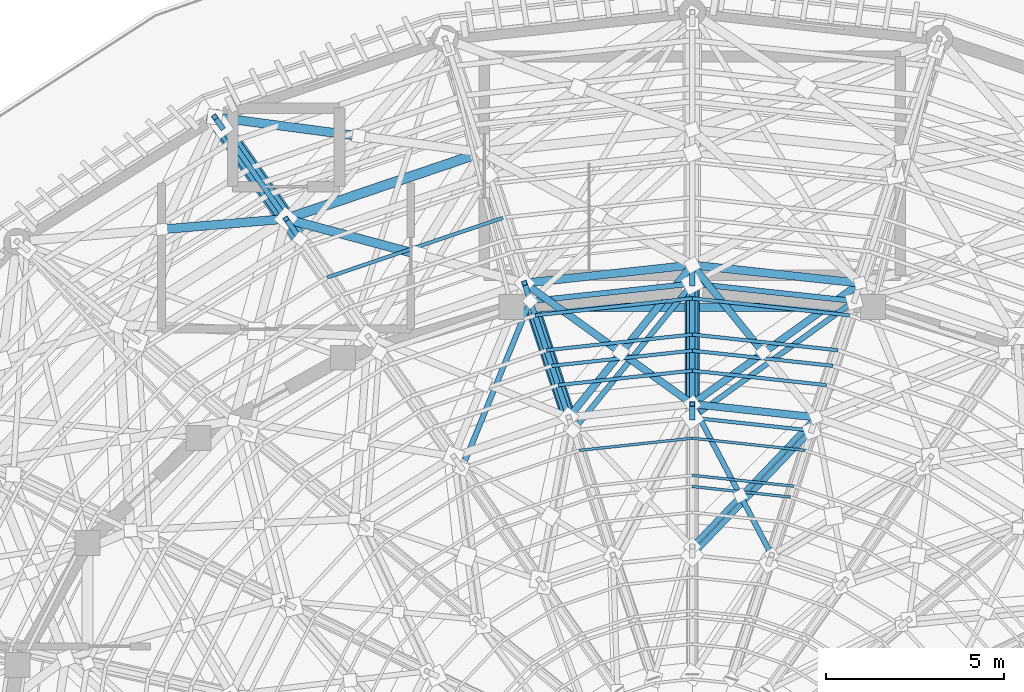
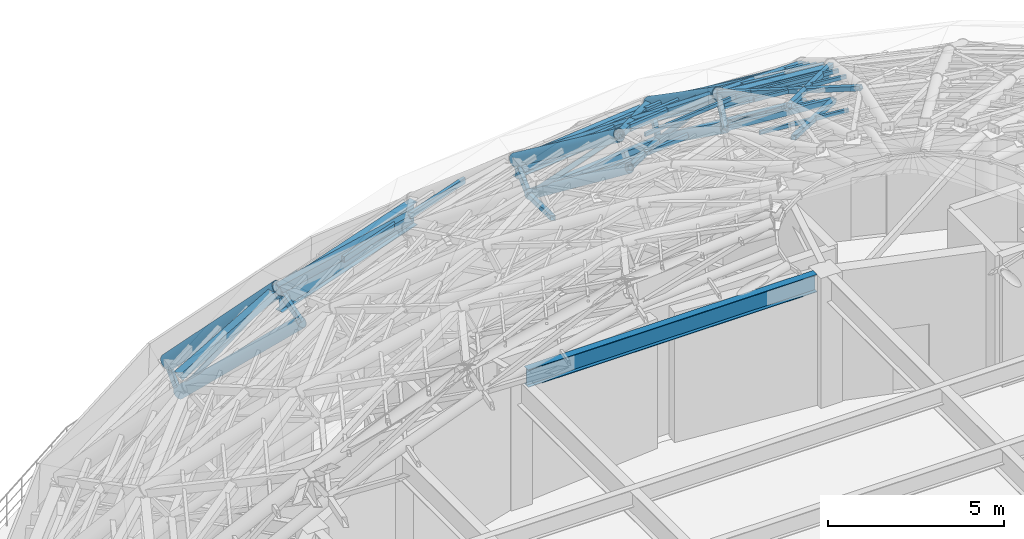
# One storey, part 29 of 50: 45 members, 5 beams.
"""IFC4 building model written with IfcOpenShell, lengths in metres."""

from ifc_helpers import new_model, si_unit, direction, frame, origin, origin_2d, place, context, subcontext, project, spatial, hollow_rectangle, hollow_circle, i_section, extrude, material, material_profile, profile_set, type_object, element, save


model = new_model("IFC4")

# Units and contexts
model_context = context("Model", 3, precision=1e-05, world=origin(), true_north=direction((0.0, 1.0)))
body_context = subcontext(model_context, "Body", "Model", "MODEL_VIEW")
ifc_project = project(units=[si_unit("LENGTHUNIT", "METRE"), si_unit("AREAUNIT", "SQUARE_METRE"), si_unit("VOLUMEUNIT", "CUBIC_METRE"), si_unit("PLANEANGLEUNIT", "RADIAN"), si_unit("MASSUNIT", "GRAM", prefix="KILO")], contexts=[model_context])

# Site, building, storey
site_placement = place(None, origin())
site = spatial("IfcSite", under=ifc_project, at=site_placement, CompositionType="ELEMENT")
building_placement = place(site_placement, origin())
building = spatial("IfcBuilding", under=site, at=building_placement, Name="Cinderbank Siding Concert Hall", CompositionType="ELEMENT")
storey_placement = place(building_placement, frame((0.0, 0.0, 23.699951171875)))
storey = spatial("IfcBuildingStorey", under=building, at=storey_placement, Name="L06", CompositionType="ELEMENT", Elevation=23.699951171875)

# Beams
ifc_material_1 = material(Name="Structural steel AS/NZS 3679.1 Grade 350 (340 MPa)", Category="steel")
ifc_material_profile_1 = material_profile(ifc_material_1, i_section(OverallWidth=0.208984375, OverallDepth=0.532958984375, WebThickness=0.01025390625, FlangeThickness=0.015625, at=origin_2d()), Name="530UB92.4", Category="LoadBearing")
ifc_profile_set_1 = profile_set([ifc_material_profile_1], Name="Structural steel AS/NZS 3679.1 Grade 350 (340 MPa)")
beam_type_1 = type_object("IfcBeamType", Name="BM-UB530H 530UB92.4", PredefinedType="BEAM", material=ifc_profile_set_1)
beam_1_placement = place(storey_placement, frame((125.46826171875, 54.625244140625, 13.733642578125), z_axis=(-0.994212907682, 0.107427623067, 0.0), x_axis=(-0.107427623067, -0.994212907682, 0.0)))
element("IfcBeam", 1, at=beam_1_placement, inside=storey, type_object=beam_type_1, Name="L06 Beam BM-UB530H #2076", PredefinedType="BEAM", context=body_context, shape_type="SweptSolid", body=[
    extrude(i_section(OverallWidth=0.208984375, OverallDepth=0.532958984375, WebThickness=0.01025390625, FlangeThickness=0.015625, at=origin_2d()), origin(), (0.0, 0.0, 1.0), 3.488525390625),
])
ifc_material_profile_2 = material_profile(ifc_material_1, i_section(OverallWidth=0.22900390625, OverallDepth=0.611572265625, WebThickness=0.011962890625, FlangeThickness=0.01953125, at=origin_2d()), Name="610UB125", Category="LoadBearing")
ifc_profile_set_2 = profile_set([ifc_material_profile_2], Name="Structural steel AS/NZS 3679.1 Grade 350 (340 MPa)")
beam_type_2 = type_object("IfcBeamType", Name="BM-UB610H 610UB125", PredefinedType="BEAM", material=ifc_profile_set_2)
beam_2_placement = place(storey_placement, frame((126.73095703125, 57.716064453125, 4.1962890625), z_axis=(-1.0, 0.0, 0.0), x_axis=(0.0, -1.0, 0.0)))
element("IfcBeam", 2, at=beam_2_placement, inside=storey, type_object=beam_type_2, Name="L06 Beam BM-UB610H #124", PredefinedType="BEAM", context=body_context, shape_type="SweptSolid", body=[
    extrude(i_section(OverallWidth=0.22900390625, OverallDepth=0.611572265625, WebThickness=0.011962890625, FlangeThickness=0.01953125, at=origin_2d()), origin(), (0.0, 0.0, 1.0), 9.4619140625),
])
for number, where, z_axis, x_axis, name in (
    (3, (126.71044921875, 58.392333984375, 10.994140625), (-0.994244639744, 0.107133544419, 0.0), (-0.107133544419, -0.994244639744, 0.0), "L06 Beam BM-UB610H #2059"),
    (4, (122.0, 58.89990234375, 10.994140625), (-0.994244639744, -0.107133544419, 0.0), (0.107133544419, -0.994244639744, 0.0), "L06 Beam BM-UB610H #2060"),
):
    element("IfcBeam", number, at=place(storey_placement, frame(where, z_axis=z_axis, x_axis=x_axis)), inside=storey, type_object=beam_type_2, Name=name, PredefinedType="BEAM", context=body_context, shape_type="SweptSolid", body=[
        extrude(i_section(OverallWidth=0.22900390625, OverallDepth=0.611572265625, WebThickness=0.011962890625, FlangeThickness=0.01953125, at=origin_2d()), origin(), (0.0, 0.0, 1.0), 4.73779296875),
    ])
ifc_material_2 = material(Name="Structural steel welded plate section AS/NZS 3679.2 / AS/NZS 3678 Grade 350 (340 MPa)", Category="steel")
ifc_material_profile_3 = material_profile(ifc_material_2, i_section(OverallWidth=0.27490234375, OverallDepth=0.800048828125, WebThickness=0.010009765625, FlangeThickness=0.01611328125, at=origin_2d()), Name="800WB146", Category="LoadBearing")
ifc_profile_set_3 = profile_set([ifc_material_profile_3], Name="Structural steel welded plate section AS/NZS 3679.2 / AS/NZS 3678 Grade 350 (340 MPa)")
beam_type_3 = type_object("IfcBeamType", Name="BM-WB800 800WB146", PredefinedType="BEAM", material=ifc_profile_set_3)
beam_3_placement = place(storey_placement, frame((116.098876953125, 62.062744140625, 7.699951171875), z_axis=(-0.946847286492, -0.32168340968, 0.0), x_axis=(0.32168340968, -0.946847286492, 0.0)))
element("IfcBeam", 5, at=beam_3_placement, inside=storey, type_object=beam_type_3, Name="L06 Beam BM-WB800 #2040", PredefinedType="BEAM", context=body_context, shape_type="SweptSolid", body=[
    extrude(i_section(OverallWidth=0.27490234375, OverallDepth=0.800048828125, WebThickness=0.010009765625, FlangeThickness=0.01611328125, at=origin_2d()), origin(), (0.0, 0.0, 1.0), 5.807373046875),
])

# Members
ifc_material_3 = material(Name="Structural steel hollow section AS/NZS 1163 Grade C350L0 (350 MPa)", Category="steel")
ifc_material_profile_4 = material_profile(ifc_material_3, hollow_rectangle(XDim=0.14990234375, YDim=0.14990234375, WallThickness=0.008056640625, at=origin_2d()), Name="150x150x8.0SHS", Category="LoadBearing")
ifc_profile_set_4 = profile_set([ifc_material_profile_4], Name="Structural steel hollow section AS/NZS 1163 Grade C350L0 (350 MPa)")
member_type_1 = type_object("IfcMemberType", Name="BR-SHS150 150x150x8.0SHS Roof Truss", PredefinedType="BRACE", material=ifc_profile_set_4)
member_1_placement = place(storey_placement, frame((108.801025390625, 62.766845703125, 3.550048828125), z_axis=(0.325461221953, -0.465335789726, 0.823126719166), x_axis=(0.819458401661, 0.573138663804, 0.0)))
element("IfcMember", 6, at=member_1_placement, inside=storey, type_object=member_type_1, Name="L06 Diagonal Brace BR-SHS150 #DWBD-BR-SHS150-L06-0626", PredefinedType="BRACE", context=body_context, shape_type="SweptSolid", body=[
    extrude(hollow_rectangle(XDim=0.14990234375, YDim=0.14990234375, WallThickness=0.008056640625, at=origin_2d()), origin(), (0.0, 0.0, 1.0), 5.52783203125),
])
member_2_placement = place(storey_placement, frame((108.801025390625, 62.766845703125, 3.550048828125), z_axis=(-0.198523096984, 0.28222603095, 0.938582467031), x_axis=(-0.817916075625, -0.575337547213, 0.0)))
element("IfcMember", 7, at=member_2_placement, inside=storey, type_object=member_type_1, Name="L06 Diagonal Brace BR-SHS150 #DWBV-BR-SHS150-L06-0629", PredefinedType="BRACE", context=body_context, shape_type="SweptSolid", body=[
    extrude(hollow_rectangle(XDim=0.14990234375, YDim=0.14990234375, WallThickness=0.008056640625, at=origin_2d()), origin(), (0.0, 0.0, 1.0), 1.01220703125),
])
member_3_placement = place(storey_placement, frame((110.9990234375, 59.6279296875, 7.150146484375), z_axis=(-0.339263613147, 0.481903822592, 0.807879264845), x_axis=(-0.817689723115, -0.575659201883, 0.0)))
element("IfcMember", 8, at=member_3_placement, inside=storey, type_object=member_type_1, Name="L06 Diagonal Brace BR-SHS150 #DWBV-BR-SHS150-L06-0917", PredefinedType="BRACE", context=body_context, shape_type="SweptSolid", body=[
    extrude(hollow_rectangle(XDim=0.14990234375, YDim=0.14990234375, WallThickness=0.008056640625, at=origin_2d()), origin(), (0.0, 0.0, 1.0), 1.17578125),
])
member_4_placement = place(storey_placement, frame((126.545654296875, 57.888671875, 10.35009765625), z_axis=(-0.730989263172, -0.52644261399, 0.434180689694), x_axis=(0.584400015852, -0.811465724151, 0.0)))
element("IfcMember", 9, at=member_4_placement, inside=storey, type_object=member_type_1, Name="L06 Diagonal Brace BR-SHS150 #DBRI-BR-SHS150-L06-1175", PredefinedType="BRACE", context=body_context, shape_type="SweptSolid", body=[
    extrude(hollow_rectangle(XDim=0.14990234375, YDim=0.14990234375, WallThickness=0.008056640625, at=origin_2d()), origin(), (0.0, 0.0, 1.0), 6.218505859375),
])
member_5_placement = place(storey_placement, frame((122.0, 58.37841796875, 10.35009765625), z_axis=(0.0, -0.67928664237, 0.733873052712), x_axis=(1.0, 0.0, 0.0)))
element("IfcMember", 10, at=member_5_placement, inside=storey, type_object=member_type_1, Name="L06 Diagonal Brace BR-SHS150 #DWBD-BR-SHS150-L06-1178", PredefinedType="BRACE", context=body_context, shape_type="SweptSolid", body=[
    extrude(hollow_rectangle(XDim=0.14990234375, YDim=0.14990234375, WallThickness=0.008056640625, at=origin_2d()), origin(), (0.0, 0.0, 1.0), 4.973388671875),
])
member_6_placement = place(storey_placement, frame((122.0, 58.37841796875, 10.35009765625), z_axis=(0.0, 0.481218079889, 0.876600912382), x_axis=(-1.0, 0.0, 0.0)))
element("IfcMember", 11, at=member_6_placement, inside=storey, type_object=member_type_1, Name="L06 Diagonal Brace BR-SHS150 #DWBV-BR-SHS150-L06-1181", PredefinedType="BRACE", context=body_context, shape_type="SweptSolid", body=[
    extrude(hollow_rectangle(XDim=0.14990234375, YDim=0.14990234375, WallThickness=0.008056640625, at=origin_2d()), origin(), (0.0, 0.0, 1.0), 1.083740234375),
])
member_7_placement = place(storey_placement, frame((122.0, 58.37841796875, 10.35009765625), z_axis=(-0.561649736076, -0.692269765155, 0.45311383362), x_axis=(0.776563683526, -0.63003876502, 0.0)))
element("IfcMember", 12, at=member_7_placement, inside=storey, type_object=member_type_1, Name="L06 Diagonal Brace BR-SHS150 #DBRI-BR-SHS150-L06-1187", PredefinedType="BRACE", context=body_context, shape_type="SweptSolid", body=[
    extrude(hollow_rectangle(XDim=0.14990234375, YDim=0.14990234375, WallThickness=0.008056640625, at=origin_2d()), origin(), (0.0, 0.0, 1.0), 5.958740234375),
])
member_8_placement = place(storey_placement, frame((117.454345703125, 57.888671875, 10.35009765625), z_axis=(0.214909661332, -0.650962484257, 0.728053350762), x_axis=(0.949588685113, 0.313498531264, 0.0)))
element("IfcMember", 13, at=member_8_placement, inside=storey, type_object=member_type_1, Name="L06 Diagonal Brace BR-SHS150 #DWBD-BR-SHS150-L06-1190", PredefinedType="BRACE", context=body_context, shape_type="SweptSolid", body=[
    extrude(hollow_rectangle(XDim=0.14990234375, YDim=0.14990234375, WallThickness=0.008056640625, at=origin_2d()), origin(), (0.0, 0.0, 1.0), 5.01318359375),
])
member_9_placement = place(storey_placement, frame((117.454345703125, 57.888671875, 10.35009765625), z_axis=(-0.151498168389, 0.463023290943, 0.873302775113), x_axis=(-0.950419411775, -0.310970966044, 0.0)))
element("IfcMember", 14, at=member_9_placement, inside=storey, type_object=member_type_1, Name="L06 Diagonal Brace BR-SHS150 #DWBV-BR-SHS150-L06-1193", PredefinedType="BRACE", context=body_context, shape_type="SweptSolid", body=[
    extrude(hollow_rectangle(XDim=0.14990234375, YDim=0.14990234375, WallThickness=0.008056640625, at=origin_2d()), origin(), (0.0, 0.0, 1.0), 1.087646484375),
])
member_10_placement = place(storey_placement, frame((117.454345703125, 57.888671875, 10.35009765625), z_axis=(-0.334081988088, -0.817107446449, 0.469813416361), x_axis=(0.925622062942, -0.378449199489, 0.0)))
element("IfcMember", 15, at=member_10_placement, inside=storey, type_object=member_type_1, Name="L06 Diagonal Brace BR-SHS150 #DBRI-BR-SHS150-L06-1199", PredefinedType="BRACE", context=body_context, shape_type="SweptSolid", body=[
    extrude(hollow_rectangle(XDim=0.14990234375, YDim=0.14990234375, WallThickness=0.008056640625, at=origin_2d()), origin(), (0.0, 0.0, 1.0), 5.746826171875),
])
member_11_placement = place(storey_placement, frame((125.46826171875, 54.625244140625, 14.0), z_axis=(-0.64214700107, -0.671212221518, 0.370299044964), x_axis=(0.722578444906, -0.691288934496, 0.0)))
element("IfcMember", 16, at=member_11_placement, inside=storey, type_object=member_type_1, Name="L06 Diagonal Brace BR-SHS150 #DBRO-BR-SHS150-L06-1461", PredefinedType="BRACE", context=body_context, shape_type="SweptSolid", body=[
    extrude(hollow_rectangle(XDim=0.14990234375, YDim=0.14990234375, WallThickness=0.008056640625, at=origin_2d()), origin(), (0.0, 0.0, 1.0), 5.401123046875),
])
member_12_placement = place(storey_placement, frame((122.0, 55.0, 14.0), z_axis=(0.428994505994, -0.81693653484, 0.385458703197), x_axis=(0.885352035416, 0.464921255037, 0.0)))
element("IfcMember", 17, at=member_12_placement, inside=storey, type_object=member_type_1, Name="L06 Diagonal Brace BR-SHS150 #DBRO-BR-SHS150-L06-1462", PredefinedType="BRACE", context=body_context, shape_type="SweptSolid", body=[
    extrude(hollow_rectangle(XDim=0.14990234375, YDim=0.14990234375, WallThickness=0.008056640625, at=origin_2d()), origin(), (0.0, 0.0, 1.0), 3.14599609375),
])
member_13_placement = place(storey_placement, frame((123.362548828125, 52.405517578125, 15.224365234375), z_axis=(0.428981614241, -0.816957633002, 0.385428333835), x_axis=(0.885362728247, 0.464900892052, 0.0)))
element("IfcMember", 18, at=member_13_placement, inside=storey, type_object=member_type_1, Name="L06 Diagonal Brace BR-SHS150 #DBRO-BR-SHS150-L06-1462-S134", PredefinedType="BRACE", context=body_context, shape_type="SweptSolid", body=[
    extrude(hollow_rectangle(XDim=0.14990234375, YDim=0.14990234375, WallThickness=0.008056640625, at=origin_2d()), origin(), (0.0, 0.0, 1.0), 2.012451171875),
])
member_14_placement = place(storey_placement, frame((125.3466796875, 54.25341796875, 13.050048828125), z_axis=(-0.638883967796, -0.667873304532, 0.381801682535), x_axis=(0.72261557298, -0.691250123824, 0.0)))
element("IfcMember", 19, at=member_14_placement, inside=storey, type_object=member_type_1, Name="L06 Diagonal Brace BR-SHS150 #DBRI-BR-SHS150-L06-1463", PredefinedType="BRACE", context=body_context, shape_type="SweptSolid", body=[
    extrude(hollow_rectangle(XDim=0.14990234375, YDim=0.14990234375, WallThickness=0.008056640625, at=origin_2d()), origin(), (0.0, 0.0, 1.0), 5.23828125),
])
member_15_placement = place(storey_placement, frame((122.0, 54.614990234375, 13.050048828125), z_axis=(0.0, 0.375616647111, 0.92677512613), x_axis=(-1.0, 0.0, 0.0)))
element("IfcMember", 20, at=member_15_placement, inside=storey, type_object=member_type_1, Name="L06 Diagonal Brace BR-SHS150 #DWBV-BR-SHS150-L06-1469", PredefinedType="BRACE", context=body_context, shape_type="SweptSolid", body=[
    extrude(hollow_rectangle(XDim=0.14990234375, YDim=0.14990234375, WallThickness=0.008056640625, at=origin_2d()), origin(), (0.0, 0.0, 1.0), 1.02490234375),
])
ifc_material_profile_5 = material_profile(ifc_material_3, hollow_rectangle(XDim=0.199951171875, YDim=0.199951171875, WallThickness=0.009033203125, at=origin_2d()), Name="200x200x9.0SHS", Category="LoadBearing")
ifc_profile_set_5 = profile_set([ifc_material_profile_5], Name="Structural steel hollow section AS/NZS 1163 Grade C350L0 (350 MPa)")
member_type_2 = type_object("IfcMemberType", Name="BR-SHS200 200x200x9.0SHS Roof Truss", PredefinedType="BRACE", material=ifc_profile_set_5)
member_16_placement = place(storey_placement, frame((126.71044921875, 58.392333984375, 11.300048828125), z_axis=(-0.735774223032, -0.529884048358, 0.421733550975), x_axis=(0.584396682542, -0.811468124718, 0.0)))
element("IfcMember", 21, at=member_16_placement, inside=storey, type_object=member_type_2, Name="L06 Diagonal Brace BR-SHS200 #DBRO-BR-SHS200-L06-1173", PredefinedType="BRACE", context=body_context, shape_type="SweptSolid", body=[
    extrude(hollow_rectangle(XDim=0.199951171875, YDim=0.199951171875, WallThickness=0.009033203125, at=origin_2d()), origin(), (0.0, 0.0, 1.0), 6.402099609375),
])
member_17_placement = place(storey_placement, frame((122.0, 58.89990234375, 11.300048828125), z_axis=(0.56566732929, -0.697188802611, 0.44039555639), x_axis=(0.776549134033, 0.630056697792, 0.0)))
element("IfcMember", 22, at=member_17_placement, inside=storey, type_object=member_type_2, Name="L06 Diagonal Brace BR-SHS200 #DBRO-BR-SHS200-L06-1174", PredefinedType="BRACE", context=body_context, shape_type="SweptSolid", body=[
    extrude(hollow_rectangle(XDim=0.199951171875, YDim=0.199951171875, WallThickness=0.009033203125, at=origin_2d()), origin(), (0.0, 0.0, 1.0), 3.515869140625),
])
member_18_placement = place(storey_placement, frame((122.0, 58.89990234375, 11.300048828125), z_axis=(-0.565676730975, -0.697200751981, 0.440364562006), x_axis=(0.776549293972, -0.630056500666, 0.0)))
element("IfcMember", 23, at=member_18_placement, inside=storey, type_object=member_type_2, Name="L06 Diagonal Brace BR-SHS200 #DBRO-BR-SHS200-L06-1185", PredefinedType="BRACE", context=body_context, shape_type="SweptSolid", body=[
    extrude(hollow_rectangle(XDim=0.199951171875, YDim=0.199951171875, WallThickness=0.009033203125, at=origin_2d()), origin(), (0.0, 0.0, 1.0), 6.131103515625),
])
member_19_placement = place(storey_placement, frame((117.28955078125, 58.392333984375, 11.300048828125), z_axis=(0.735770579024, -0.529890430557, 0.421731889531), x_axis=(0.58440322325, 0.811463414243, 0.0)))
element("IfcMember", 24, at=member_19_placement, inside=storey, type_object=member_type_2, Name="L06 Diagonal Brace BR-SHS200 #DBRO-BR-SHS200-L06-1186", PredefinedType="BRACE", context=body_context, shape_type="SweptSolid", body=[
    extrude(hollow_rectangle(XDim=0.199951171875, YDim=0.199951171875, WallThickness=0.009033203125, at=origin_2d()), origin(), (0.0, 0.0, 1.0), 3.672607421875),
])
member_20_placement = place(storey_placement, frame((120.013671875, 56.430419921875, 12.861572265625), z_axis=(0.735797289553, -0.529871720685, 0.421708795623), x_axis=(0.584375666063, 0.811483259786, 0.0)))
element("IfcMember", 25, at=member_20_placement, inside=storey, type_object=member_type_2, Name="L06 Diagonal Brace BR-SHS200 #DBRO-BR-SHS200-L06-1186-S111", PredefinedType="BRACE", context=body_context, shape_type="SweptSolid", body=[
    extrude(hollow_rectangle(XDim=0.199951171875, YDim=0.199951171875, WallThickness=0.009033203125, at=origin_2d()), origin(), (0.0, 0.0, 1.0), 2.699462890625),
])
ifc_material_profile_6 = material_profile(ifc_material_3, hollow_rectangle(XDim=0.25, YDim=0.25, WallThickness=0.010009765625, at=origin_2d()), Name="250x250x10.0SHS", Category="LoadBearing")
ifc_profile_set_6 = profile_set([ifc_material_profile_6], Name="Structural steel hollow section AS/NZS 1163 Grade C350L0 (350 MPa)")
member_type_3 = type_object("IfcMemberType", Name="BR-SHS250 250x250x10.0SHS Roof Truss", PredefinedType="BRACE", material=ifc_profile_set_6)
member_21_placement = place(storey_placement, frame((108.60009765625, 63.052490234375, 4.5), z_axis=(0.895170843684, -0.118147397325, 0.429779423802), x_axis=(0.130848333351, 0.991402397445, 0.0)))
element("IfcMember", 26, at=member_21_placement, inside=storey, type_object=member_type_3, Name="L06 Diagonal Brace BR-SHS250 #DBRO-BR-SHS250-L06-0622", PredefinedType="BRACE", context=body_context, shape_type="SweptSolid", body=[
    extrude(hollow_rectangle(XDim=0.25, YDim=0.25, WallThickness=0.010009765625, at=origin_2d()), origin(), (0.0, 0.0, 1.0), 4.510986328125),
])
member_22_placement = place(storey_placement, frame((107.142578125, 59.90234375, 6.45166015625), z_axis=(0.900042078535, 0.076073320718, 0.4291119979), x_axis=(-0.084221657409, 0.996447044465, 0.0)))
element("IfcMember", 27, at=member_22_placement, inside=storey, type_object=member_type_3, Name="L06 Diagonal Brace BR-SHS250 #DBRO-BR-SHS250-L06-0634-S65", PredefinedType="BRACE", context=body_context, shape_type="SweptSolid", body=[
    extrude(hollow_rectangle(XDim=0.25, YDim=0.25, WallThickness=0.010009765625, at=origin_2d()), origin(), (0.0, 0.0, 1.0), 3.841552734375),
])
member_23_placement = place(storey_placement, frame((110.60009765625, 60.194580078125, 8.10009765625), z_axis=(0.876581362999, -0.236164796434, 0.41932243318), x_axis=(0.260139980225, 0.965570914376, 0.0)))
element("IfcMember", 28, at=member_23_placement, inside=storey, type_object=member_type_3, Name="L06 Diagonal Brace BR-SHS250 #DBRO-BR-SHS250-L06-0910", PredefinedType="BRACE", context=body_context, shape_type="SweptSolid", body=[
    extrude(hollow_rectangle(XDim=0.25, YDim=0.25, WallThickness=0.010009765625, at=origin_2d()), origin(), (0.0, 0.0, 1.0), 4.22802734375),
])
ifc_material_profile_7 = material_profile(ifc_material_3, hollow_circle(Radius=0.161865234375, WallThickness=0.0126953125, at=origin_2d()), Name="323.9x12.7CHS", Category="LoadBearing")
ifc_profile_set_7 = profile_set([ifc_material_profile_7], Name="Structural steel hollow section AS/NZS 1163 Grade C350L0 (350 MPa)")
member_type_4 = type_object("IfcMemberType", Name="DR-CHS323 323.9x12.7CHS Roof Truss", PredefinedType="RAFTER", material=ifc_profile_set_7)
member_24_placement = place(storey_placement, frame((122.0, 58.37841796875, 10.35009765625), z_axis=(0.0, -0.812527938707, 0.582922249378), x_axis=(1.0, 0.0, 0.0)))
element("IfcMember", 29, at=member_24_placement, inside=storey, type_object=member_type_4, Name="L06 Roof Truss Member DR-CHS323 #1177", PredefinedType="RAFTER", context=body_context, shape_type="SweptSolid", body=[
    extrude(hollow_circle(Radius=0.161865234375, WallThickness=0.0126953125, at=origin_2d()), origin(), (0.0, 0.0, 1.0), 4.6318359375),
])
member_25_placement = place(storey_placement, frame((117.454345703125, 57.888671875, 10.35009765625), z_axis=(0.255957843649, -0.776056259813, 0.576387251663), x_axis=(0.949679883336, 0.313222156284, 0.0)))
element("IfcMember", 30, at=member_25_placement, inside=storey, type_object=member_type_4, Name="L06 Roof Truss Member DR-CHS323 #1189", PredefinedType="RAFTER", context=body_context, shape_type="SweptSolid", body=[
    extrude(hollow_circle(Radius=0.161865234375, WallThickness=0.0126953125, at=origin_2d()), origin(), (0.0, 0.0, 1.0), 4.684326171875),
])
ifc_material_profile_8 = material_profile(ifc_material_3, hollow_circle(Radius=0.203125, WallThickness=0.01611328125, at=origin_2d()), Name="406.4x16.0CHS", Category="LoadBearing")
ifc_profile_set_8 = profile_set([ifc_material_profile_8], Name="Structural steel hollow section AS/NZS 1163 Grade C350L0 (350 MPa)")
member_type_5 = type_object("IfcMemberType", Name="DR-CHS406 406.4x16.0CHS Roof Truss", PredefinedType="RAFTER", material=ifc_profile_set_8)
member_26_placement = place(storey_placement, frame((108.801025390625, 62.766845703125, 3.550048828125), z_axis=(0.418043448824, -0.596999291517, 0.684712728685), x_axis=(0.819139121864, 0.573594891043, 0.0)))
element("IfcMember", 31, at=member_26_placement, inside=storey, type_object=member_type_5, Name="L06 Roof Truss Member DR-CHS406 #625", PredefinedType="RAFTER", context=body_context, shape_type="SweptSolid", body=[
    extrude(hollow_circle(Radius=0.203125, WallThickness=0.01611328125, at=origin_2d()), origin(), (0.0, 0.0, 1.0), 5.2578125),
])
member_27_placement = place(storey_placement, frame((122.0, 58.89990234375, 11.300048828125), z_axis=(0.0, -0.8221903387, 0.569212655295), x_axis=(1.0, 0.0, 0.0)))
element("IfcMember", 32, at=member_27_placement, inside=storey, type_object=member_type_5, Name="L06 Roof Truss Member DR-CHS406 #1176", PredefinedType="RAFTER", context=body_context, shape_type="SweptSolid", body=[
    extrude(hollow_circle(Radius=0.203125, WallThickness=0.01611328125, at=origin_2d()), origin(), (0.0, 0.0, 1.0), 4.743408203125),
])
member_28_placement = place(storey_placement, frame((117.28955078125, 58.392333984375, 11.300048828125), z_axis=(0.258880473297, -0.785087598854, 0.562688513009), x_axis=(0.949700058716, 0.313160978532, 0.0)))
element("IfcMember", 33, at=member_28_placement, inside=storey, type_object=member_type_5, Name="L06 Roof Truss Member DR-CHS406 #1188", PredefinedType="RAFTER", context=body_context, shape_type="SweptSolid", body=[
    extrude(hollow_circle(Radius=0.203125, WallThickness=0.01611328125, at=origin_2d()), origin(), (0.0, 0.0, 1.0), 4.79833984375),
])
ifc_material_profile_9 = material_profile(ifc_material_3, hollow_circle(Radius=0.25390625, WallThickness=0.01611328125, at=origin_2d()), Name="508.0x16.0CHS", Category="LoadBearing")
ifc_profile_set_9 = profile_set([ifc_material_profile_9], Name="Structural steel hollow section AS/NZS 1163 Grade C350L0 (350 MPa)")
member_type_6 = type_object("IfcMemberType", Name="DR-CHS508 508.0x16.0CHS Roof Truss", PredefinedType="RAFTER", material=ifc_profile_set_9)
member_29_placement = place(storey_placement, frame((108.60009765625, 63.052490234375, 4.5), z_axis=(0.398977108308, -0.570120364972, 0.718178276259), x_axis=(0.819304252775, 0.573358998696, 0.0)))
element("IfcMember", 34, at=member_29_placement, inside=storey, type_object=member_type_6, Name="L06 Roof Truss Member DR-CHS508 #624", PredefinedType="RAFTER", context=body_context, shape_type="SweptSolid", body=[
    extrude(hollow_circle(Radius=0.25390625, WallThickness=0.01611328125, at=origin_2d()), origin(), (0.0, 0.0, 1.0), 5.012939453125),
])
ifc_material_profile_10 = material_profile(ifc_material_3, hollow_rectangle(XDim=0.074951171875, YDim=0.125, WallThickness=0.0048828125, at=origin_2d()), Name="125x75x5.0RHS", Category="LoadBearing")
ifc_profile_set_10 = profile_set([ifc_material_profile_10], Name="Structural steel hollow section AS/NZS 1163 Grade C350L0 (350 MPa)")
member_type_7 = type_object("IfcMemberType", Name="PR-RHS125 125x75x5.0RHS Roof Truss", PredefinedType="PURLIN", material=ifc_profile_set_10)
member_30_placement = place(storey_placement, frame((124.747314453125, 52.388916015625, 14.050048828125), z_axis=(-0.994240427039, 0.107172632898, 0.0), x_axis=(-0.107172632898, -0.994240427039, 0.0)))
element("IfcMember", 35, at=member_30_placement, inside=storey, type_object=member_type_7, Name="L06 Roof Truss Member PR-RHS125 #1456", PredefinedType="PURLIN", context=body_context, shape_type="SweptSolid", body=[
    extrude(hollow_rectangle(XDim=0.074951171875, YDim=0.125, WallThickness=0.0048828125, at=origin_2d()), origin(), (0.0, 0.0, 1.0), 2.76318359375),
])
member_31_placement = place(storey_placement, frame((125.169921875, 53.697998046875, 14.47998046875), z_axis=(-0.994228920848, 0.107279322097, 0.0), x_axis=(-0.107279322097, -0.994228920848, 0.0)))
element("IfcMember", 36, at=member_31_placement, inside=storey, type_object=member_type_7, Name="L06 Roof Truss Member PR-RHS125 #1458", PredefinedType="PURLIN", context=body_context, shape_type="SweptSolid", body=[
    extrude(hollow_rectangle(XDim=0.074951171875, YDim=0.125, WallThickness=0.0048828125, at=origin_2d()), origin(), (0.0, 0.0, 1.0), 3.188232421875),
])
member_32_placement = place(storey_placement, frame((124.846923828125, 52.693359375, 15.0), z_axis=(-0.994249324739, 0.107090056759, 0.0), x_axis=(-0.107090056759, -0.994249324739, 0.0)))
element("IfcMember", 37, at=member_32_placement, inside=storey, type_object=member_type_7, Name="L06 Roof Truss Member PR-RHS125 #1459", PredefinedType="PURLIN", context=body_context, shape_type="SweptSolid", body=[
    extrude(hollow_rectangle(XDim=0.074951171875, YDim=0.125, WallThickness=0.0048828125, at=origin_2d()), origin(), (0.0, 0.0, 1.0), 2.86328125),
])
member_33_placement = place(storey_placement, frame((122.0, 54.0400390625, 14.47998046875), z_axis=(-0.994228920848, -0.107279322097, 0.0), x_axis=(0.107279322097, -0.994228920848, 0.0)))
element("IfcMember", 38, at=member_33_placement, inside=storey, type_object=member_type_7, Name="L06 Roof Truss Member PR-RHS125 #1470", PredefinedType="PURLIN", context=body_context, shape_type="SweptSolid", body=[
    extrude(hollow_rectangle(XDim=0.074951171875, YDim=0.125, WallThickness=0.0048828125, at=origin_2d()), origin(), (0.0, 0.0, 1.0), 3.188232421875),
])
ifc_material_profile_11 = material_profile(ifc_material_3, hollow_rectangle(XDim=0.10009765625, YDim=0.14990234375, WallThickness=0.006103515625, at=origin_2d()), Name="150x100x6.0RHS", Category="LoadBearing")
ifc_profile_set_11 = profile_set([ifc_material_profile_11], Name="Structural steel hollow section AS/NZS 1163 Grade C350L0 (350 MPa)")
member_type_8 = type_object("IfcMemberType", Name="PR-RHS150 150x100x6.0RHS Roof Truss", PredefinedType="PURLIN", material=ifc_profile_set_11)
member_34_placement = place(storey_placement, frame((125.9462890625, 56.07080078125, 11.699951171875), z_axis=(-0.994223201729, 0.107332311743, 0.0), x_axis=(-0.107332311743, -0.994223201729, 0.0)))
element("IfcMember", 39, at=member_34_placement, inside=storey, type_object=member_type_8, Name="L06 Roof Truss Member PR-RHS150 #1168", PredefinedType="PURLIN", context=body_context, shape_type="SweptSolid", body=[
    extrude(hollow_rectangle(XDim=0.10009765625, YDim=0.14990234375, WallThickness=0.006103515625, at=origin_2d()), origin(), (0.0, 0.0, 1.0), 3.96923828125),
])
member_35_placement = place(storey_placement, frame((126.412353515625, 57.48828125, 11.947998046875), z_axis=(-0.994235452281, 0.107218773668, 0.0), x_axis=(-0.107218773668, -0.994235452281, 0.0)))
element("IfcMember", 40, at=member_35_placement, inside=storey, type_object=member_type_8, Name="L06 Roof Truss Member PR-RHS150 #1170", PredefinedType="PURLIN", context=body_context, shape_type="SweptSolid", body=[
    extrude(hollow_rectangle(XDim=0.10009765625, YDim=0.14990234375, WallThickness=0.006103515625, at=origin_2d()), origin(), (0.0, 0.0, 1.0), 4.43798828125),
])
member_36_placement = place(storey_placement, frame((126.08935546875, 56.5087890625, 12.650146484375), z_axis=(-0.99423119383, 0.107258254761, 0.0), x_axis=(-0.107258254761, -0.99423119383, 0.0)))
element("IfcMember", 41, at=member_36_placement, inside=storey, type_object=member_type_8, Name="L06 Roof Truss Member PR-RHS150 #1171", PredefinedType="PURLIN", context=body_context, shape_type="SweptSolid", body=[
    extrude(hollow_rectangle(XDim=0.10009765625, YDim=0.14990234375, WallThickness=0.006103515625, at=origin_2d()), origin(), (0.0, 0.0, 1.0), 4.113037109375),
])
member_37_placement = place(storey_placement, frame((125.766357421875, 55.529296875, 13.35205078125), z_axis=(-0.994219325498, 0.107368211336, 0.0), x_axis=(-0.107368211336, -0.994219325498, 0.0)))
element("IfcMember", 42, at=member_37_placement, inside=storey, type_object=member_type_8, Name="L06 Roof Truss Member PR-RHS150 #1172", PredefinedType="PURLIN", context=body_context, shape_type="SweptSolid", body=[
    extrude(hollow_rectangle(XDim=0.10009765625, YDim=0.14990234375, WallThickness=0.006103515625, at=origin_2d()), origin(), (0.0, 0.0, 1.0), 3.788330078125),
])
member_38_placement = place(storey_placement, frame((122.0, 56.496826171875, 11.699951171875), z_axis=(-0.994223201729, -0.107332311743, 0.0), x_axis=(0.107332311743, -0.994223201729, 0.0)))
element("IfcMember", 43, at=member_38_placement, inside=storey, type_object=member_type_8, Name="L06 Roof Truss Member PR-RHS150 #1180", PredefinedType="PURLIN", context=body_context, shape_type="SweptSolid", body=[
    extrude(hollow_rectangle(XDim=0.10009765625, YDim=0.14990234375, WallThickness=0.006103515625, at=origin_2d()), origin(), (0.0, 0.0, 1.0), 3.96923828125),
])
member_39_placement = place(storey_placement, frame((122.0, 57.964111328125, 11.947998046875), z_axis=(-0.994235452281, -0.107218773668, 0.0), x_axis=(0.107218773668, -0.994235452281, 0.0)))
element("IfcMember", 44, at=member_39_placement, inside=storey, type_object=member_type_8, Name="L06 Roof Truss Member PR-RHS150 #1182", PredefinedType="PURLIN", context=body_context, shape_type="SweptSolid", body=[
    extrude(hollow_rectangle(XDim=0.10009765625, YDim=0.14990234375, WallThickness=0.006103515625, at=origin_2d()), origin(), (0.0, 0.0, 1.0), 4.43798828125),
])
member_40_placement = place(storey_placement, frame((122.0, 56.949951171875, 12.650146484375), z_axis=(-0.99423119383, -0.107258254761, 0.0), x_axis=(0.107258254761, -0.99423119383, 0.0)))
element("IfcMember", 45, at=member_40_placement, inside=storey, type_object=member_type_8, Name="L06 Roof Truss Member PR-RHS150 #1183", PredefinedType="PURLIN", context=body_context, shape_type="SweptSolid", body=[
    extrude(hollow_rectangle(XDim=0.10009765625, YDim=0.14990234375, WallThickness=0.006103515625, at=origin_2d()), origin(), (0.0, 0.0, 1.0), 4.113037109375),
])
member_41_placement = place(storey_placement, frame((122.0, 55.93603515625, 13.35205078125), z_axis=(-0.994219325498, -0.107368211336, 0.0), x_axis=(0.107368211336, -0.994219325498, 0.0)))
element("IfcMember", 46, at=member_41_placement, inside=storey, type_object=member_type_8, Name="L06 Roof Truss Member PR-RHS150 #1184", PredefinedType="PURLIN", context=body_context, shape_type="SweptSolid", body=[
    extrude(hollow_rectangle(XDim=0.10009765625, YDim=0.14990234375, WallThickness=0.006103515625, at=origin_2d()), origin(), (0.0, 0.0, 1.0), 3.788330078125),
])
ifc_material_profile_12 = material_profile(ifc_material_3, hollow_rectangle(XDim=0.10009765625, YDim=0.199951171875, WallThickness=0.008056640625, at=origin_2d()), Name="200x100x8.0RHS", Category="LoadBearing")
ifc_profile_set_12 = profile_set([ifc_material_profile_12], Name="Structural steel hollow section AS/NZS 1163 Grade C350L0 (350 MPa)")
member_type_9 = type_object("IfcMemberType", Name="PR-RHS200 200x100x8.0RHS Roof Truss", PredefinedType="PURLIN", material=ifc_profile_set_12)
member_42_placement = place(storey_placement, frame((116.694091796875, 60.2275390625, 9.699951171875), z_axis=(-0.946934231259, -0.321427381644, 0.0), x_axis=(0.321427381644, -0.946934231259, 0.0)))
element("IfcMember", 47, at=member_42_placement, inside=storey, type_object=member_type_9, Name="L06 Roof Truss Member PR-RHS200 #907", PredefinedType="PURLIN", context=body_context, shape_type="SweptSolid", body=[
    extrude(hollow_rectangle(XDim=0.10009765625, YDim=0.199951171875, WallThickness=0.008056640625, at=origin_2d()), origin(), (0.0, 0.0, 1.0), 5.22119140625),
])
member_43_placement = place(storey_placement, frame((125.3466796875, 54.25341796875, 13.050048828125), z_axis=(-0.994214376607, 0.107414027703, 0.0), x_axis=(-0.107414027703, -0.994214376607, 0.0)))
element("IfcMember", 48, at=member_43_placement, inside=storey, type_object=member_type_9, Name="L06 Roof Truss Member PR-RHS200 #1167", PredefinedType="PURLIN", context=body_context, shape_type="SweptSolid", body=[
    extrude(hollow_rectangle(XDim=0.10009765625, YDim=0.199951171875, WallThickness=0.008056640625, at=origin_2d()), origin(), (0.0, 0.0, 1.0), 3.3662109375),
])
ifc_material_profile_13 = material_profile(ifc_material_3, hollow_rectangle(XDim=0.14990234375, YDim=0.25, WallThickness=0.009033203125, at=origin_2d()), Name="250x150x9.0RHS", Category="LoadBearing")
ifc_profile_set_13 = profile_set([ifc_material_profile_13], Name="Structural steel hollow section AS/NZS 1163 Grade C350L0 (350 MPa)")
member_type_10 = type_object("IfcMemberType", Name="PR-RHS250 250x150x9.0RHS Roof Truss", PredefinedType="PURLIN", material=ifc_profile_set_13)
for number, where, z_axis, x_axis, name in (
    (49, (126.545654296875, 57.888671875, 10.35009765625), (-0.994246154055, 0.107119490039, 0.0), (-0.107119490039, -0.994246154055, 0.0), "L06 Roof Truss Member PR-RHS250 #879"),
    (50, (122.0, 58.37841796875, 10.35009765625), (-0.994246154055, -0.107119490039, 0.0), (0.107119490039, -0.994246154055, 0.0), "L06 Roof Truss Member PR-RHS250 #891"),
):
    element("IfcMember", number, at=place(storey_placement, frame(where, z_axis=z_axis, x_axis=x_axis)), inside=storey, type_object=member_type_10, Name=name, PredefinedType="PURLIN", context=body_context, shape_type="SweptSolid", body=[
        extrude(hollow_rectangle(XDim=0.14990234375, YDim=0.25, WallThickness=0.009033203125, at=origin_2d()), origin(), (0.0, 0.0, 1.0), 4.572021484375),
    ])

save(model, "model.ifc")
